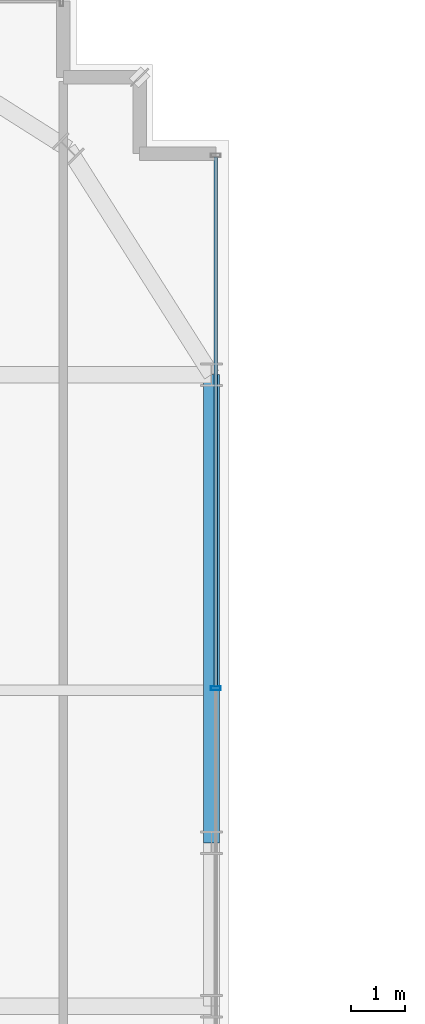
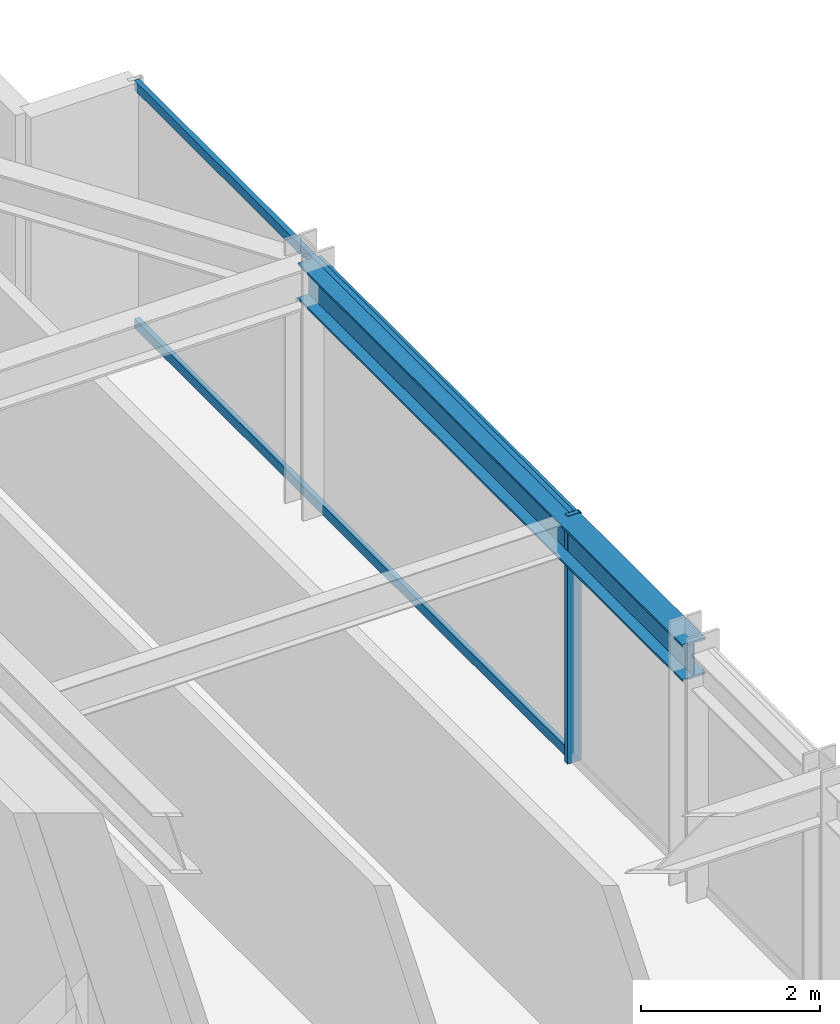
# One storey, part 23 of 41: 3 members, 1 beam, 1 element without a shape of its own.
"""IFC4 building model written with IfcOpenShell, lengths in metres."""

from ifc_helpers import new_model, si_unit, direction, frame, origin, origin_2d, place, context, subcontext, project, spatial, hollow_rectangle, i_section, extrude, source, transform, mapped, material, material_profile, profile_set, type_object, element, aggregate, save


model = new_model("IFC4")

# Units and contexts
model_context = context("Model", 3, precision=1e-05, world=origin(), true_north=direction((0.0, 1.0)))
body_context = subcontext(model_context, "Body", "Model", "MODEL_VIEW")
ifc_project = project(units=[si_unit("LENGTHUNIT", "METRE"), si_unit("AREAUNIT", "SQUARE_METRE"), si_unit("VOLUMEUNIT", "CUBIC_METRE"), si_unit("PLANEANGLEUNIT", "RADIAN"), si_unit("MASSUNIT", "GRAM", prefix="KILO")], contexts=[model_context])

# Site, building, storey
site_placement = place(None, origin())
site = spatial("IfcSite", under=ifc_project, at=site_placement, CompositionType="ELEMENT")
building_placement = place(site_placement, origin())
building = spatial("IfcBuilding", under=site, at=building_placement, Name="Nahalor Promenade Grand Hotel", CompositionType="ELEMENT")
storey_placement = place(building_placement, frame((0.0, 0.0, 113.85009765625)))
storey = spatial("IfcBuildingStorey", under=building, at=storey_placement, Name="L28", CompositionType="ELEMENT", Elevation=113.85009765625)

# Beam
ifc_material_1 = material(Name="Steel S355JR", Category="steel")
ifc_material_profile_1 = material_profile(ifc_material_1, i_section(OverallWidth=0.3, OverallDepth=0.5, WebThickness=0.0145, FlangeThickness=0.028, at=origin_2d()), Name="HEB 500")
ifc_profile_set_1 = profile_set([ifc_material_profile_1], Name="Steel S355JR")
beam_type = type_object("IfcBeamType", Name="Beam-Spandrel-HEB500", PredefinedType="SPANDREL", material=ifc_profile_set_1)
shared_shape_1 = source(origin(), body_context, "Body", "SweptSolid", [
    extrude(i_section(OverallWidth=0.3, OverallDepth=0.5, WebThickness=0.0145, FlangeThickness=0.028, at=origin_2d()), origin(), (0.0, 0.0, 1.0), 8.60009765625),
])
beam_placement = place(storey_placement, frame((23.780029296875, 8.39990234375, 3.1298828125), z_axis=(0.0, 1.0, 0.0), x_axis=(-1.0, 0.0, 0.0)))
element("IfcBeam", 1, at=beam_placement, inside=storey, type_object=beam_type, Name="BM-L28-SP-E-4", PredefinedType="SPANDREL", context=body_context, shape_type="MappedRepresentation", body=[
    mapped(shared_shape_1, transform((0.0, 0.0, 0.0), scale=1.0)),
])

# Curtain wall, members
ifc_material_2 = material(Name="Anodised Bronze Aluminium EN AW-6063 T6", Category="aluminium")
curtain_wall_type = type_object("IfcCurtainWallType", Name="CW2 Typical Hotel Flush Bronze Unitised Curtain Wall", PredefinedType="USERDEFINED", material=ifc_material_2)
curtain_wall_placement = place(storey_placement, origin())
curtain_wall = element("IfcCurtainWall", 2, at=curtain_wall_placement, inside=storey, type_object=curtain_wall_type, Name="L28 Curtain Wall CW-L28-E-3", ObjectType="UNITISED_CURTAIN_WALL", PredefinedType="USERDEFINED")
ifc_material_profile_2 = material_profile(ifc_material_2, hollow_rectangle(XDim=0.065, YDim=0.18, WallThickness=0.004, at=origin_2d()), Name="CWM 65x180x4")
ifc_profile_set_2 = profile_set([ifc_material_profile_2], Name="Anodised Bronze Aluminium EN AW-6063 T6")
member_type_1 = type_object("IfcMemberType", Name="CWM2 Typical Bronze Mullion 65x180", PredefinedType="MULLION", material=ifc_profile_set_2)
shared_shape_2 = source(origin(), body_context, "Body", "SweptSolid", [
    extrude(hollow_rectangle(XDim=0.065, YDim=0.18, WallThickness=0.004, at=origin_2d()), origin(), (0.0, 0.0, 1.0), 3.3798828125),
])
member_1_placement = place(storey_placement, frame((23.860107421875, 11.239990234375, 0.0), z_axis=(0.0, 0.0, 1.0), x_axis=(0.0, 1.0, 0.0)))
member_1 = element("IfcMember", 3, at=member_1_placement, type_object=member_type_1, Name="CW-L28-E-3 Mullion 2", PredefinedType="MULLION", context=body_context, shape_type="MappedRepresentation", body=[
    mapped(shared_shape_2, transform((0.0, 0.0, 0.0), scale=1.0)),
])
ifc_material_profile_3 = material_profile(ifc_material_2, hollow_rectangle(XDim=0.065, YDim=0.13, WallThickness=0.004, at=origin_2d()), Name="CWT 65x130x4")
ifc_profile_set_3 = profile_set([ifc_material_profile_3], Name="Anodised Bronze Aluminium EN AW-6063 T6")
member_type_2 = type_object("IfcMemberType", Name="CWT2 Typical Bronze Transom 65x130", PredefinedType="USERDEFINED", material=ifc_profile_set_3)
shared_shape_3 = source(origin(), body_context, "Body", "SweptSolid", [
    extrude(hollow_rectangle(XDim=0.065, YDim=0.13, WallThickness=0.004, at=origin_2d()), origin(), (0.0, 0.0, 1.0), 9.72265625),
])
member_2_placement = place(storey_placement, frame((23.860107421875, 11.2724609375, 0.06494140625), z_axis=(0.0, 1.0, 0.0), x_axis=(-1.0, 0.0, 0.0)))
member_2 = element("IfcMember", 4, at=member_2_placement, type_object=member_type_2, Name="CW-L28-E-3 Transom 2-0", ObjectType="TRANSOM", PredefinedType="USERDEFINED", context=body_context, shape_type="MappedRepresentation", body=[
    mapped(shared_shape_3, transform((0.0, 0.0, 0.0), scale=1.0)),
])
member_3_placement = place(storey_placement, frame((23.860107421875, 11.2724609375, 3.31494140625), z_axis=(0.0, 1.0, 0.0), x_axis=(-1.0, 0.0, 0.0)))
member_3 = element("IfcMember", 5, at=member_3_placement, type_object=member_type_2, Name="CW-L28-E-3 Transom 2-1", ObjectType="TRANSOM", PredefinedType="USERDEFINED", context=body_context, shape_type="MappedRepresentation", body=[
    mapped(shared_shape_3, transform((0.0, 0.0, 0.0), scale=1.0)),
])
aggregate(curtain_wall, [member_1, member_2, member_3])

save(model, "model.ifc")
